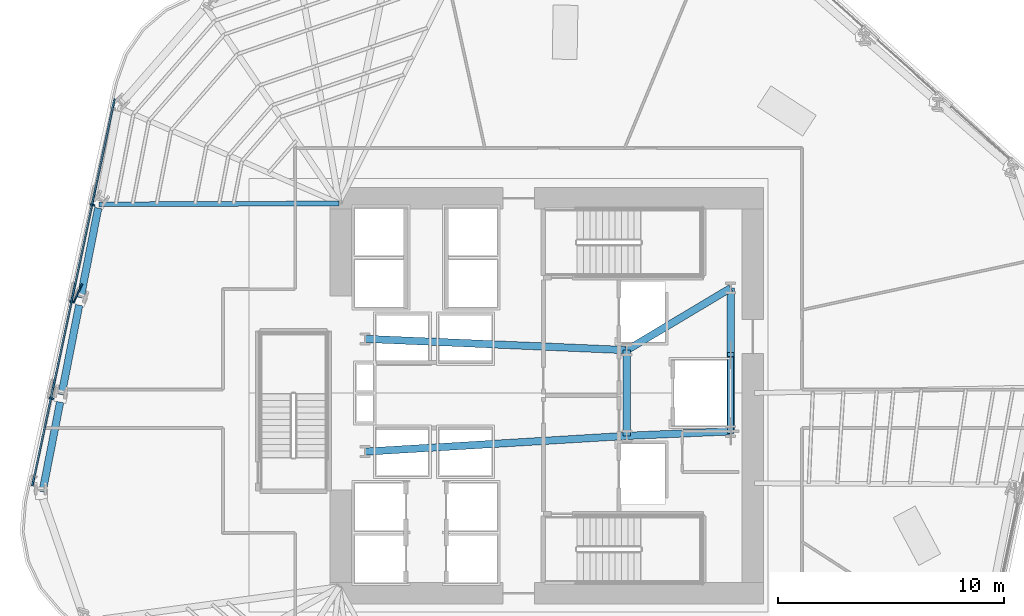
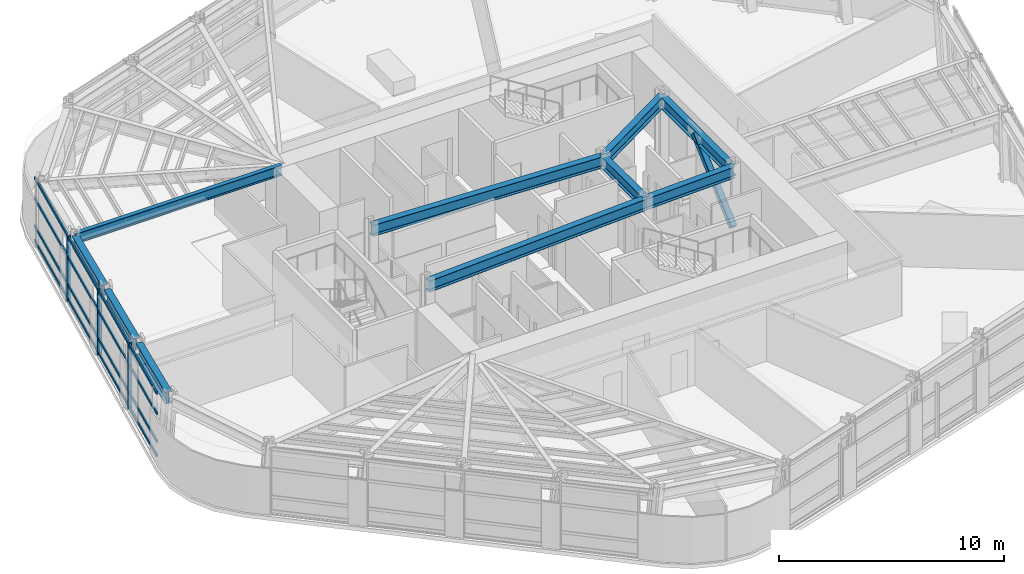
# One storey, part 4 of 16: 10 beams, 9 members, 1 element without a shape of its own.
"""IFC4 building model written with IfcOpenShell, lengths in metres."""

from ifc_helpers import new_model, si_unit, direction, frame, origin, origin_2d, place, context, subcontext, project, spatial, rectangle, hollow_rectangle, i_section, extrude, material, layer, layer_set, material_profile, profile_set, type_object, element, aggregate, save


model = new_model("IFC4")

# Units and contexts
model_context = context("Model", 3, precision=1e-05, world=origin(), true_north=direction((0.0, 1.0)))
body_context = subcontext(model_context, "Body", "Model", "MODEL_VIEW")
ifc_project = project(units=[si_unit("LENGTHUNIT", "METRE"), si_unit("AREAUNIT", "SQUARE_METRE"), si_unit("VOLUMEUNIT", "CUBIC_METRE"), si_unit("PLANEANGLEUNIT", "RADIAN"), si_unit("MASSUNIT", "GRAM", prefix="KILO")], contexts=[model_context])

# Site, building, storey
site_placement = place(None, origin())
site = spatial("IfcSite", under=ifc_project, at=site_placement, CompositionType="ELEMENT")
building_placement = place(site_placement, origin())
building = spatial("IfcBuilding", under=site, at=building_placement, Name="Valkerne Bourse Tower", CompositionType="ELEMENT")
storey_placement = place(building_placement, frame((0.0, 0.0, 101.0)))
storey = spatial("IfcBuildingStorey", under=building, at=storey_placement, Name="L25", CompositionType="ELEMENT", Elevation=101.0)

# Beams
ifc_material_1 = material(Name="Steel ASTM A992", Category="steel")
ifc_material_profile_1 = material_profile(ifc_material_1, i_section(OverallWidth=0.2138671875, OverallDepth=0.548583984375, WebThickness=0.0146484375, FlangeThickness=0.023681640625, FilletRadius=0.017822265625, at=origin_2d()), Name="W21X93")
ifc_profile_set_1 = profile_set([ifc_material_profile_1], Name="Steel ASTM A992")
beam_type_1 = type_object("IfcBeamType", Name="BM-W21X93", PredefinedType="BEAM", material=ifc_profile_set_1)
beam_1_placement = place(storey_placement, frame((26.95068359375, 35.36083984375, 3.3056640625), z_axis=(0.999993272801, 0.003668017507, 0.0), x_axis=(-0.003668017507, 0.999993272801, 0.0)))
element("IfcBeam", 1, at=beam_1_placement, inside=storey, type_object=beam_type_1, Name="L25 Radial Composite Floor Beam 11", PredefinedType="BEAM", context=body_context, shape_type="SweptSolid", body=[
    extrude(i_section(OverallWidth=0.2138671875, OverallDepth=0.548583984375, WebThickness=0.0146484375, FlangeThickness=0.023681640625, FilletRadius=0.017822265625, at=origin_2d()), origin(), (0.0, 0.0, 1.0), 10.6494140625),
])
ifc_material_profile_2 = material_profile(ifc_material_1, i_section(OverallWidth=0.3251953125, OverallDepth=0.612060546875, WebThickness=0.0126953125, FlangeThickness=0.01904296875, FilletRadius=0.020263671875, at=origin_2d()), Name="W24X104")
ifc_profile_set_2 = profile_set([ifc_material_profile_2], Name="Steel ASTM A992")
beam_type_2 = type_object("IfcBeamType", Name="BM-W24X104", PredefinedType="BEAM", material=ifc_profile_set_2)
beam_2_placement = place(storey_placement, frame((50.35009765625, 25.10009765625, 3.27392578125), z_axis=(0.0, 1.0, 0.0), x_axis=(-1.0, 0.0, 0.0)))
element("IfcBeam", 2, at=beam_2_placement, inside=storey, type_object=beam_type_2, Name="L25 Core Frame Girder CG-CE", PredefinedType="BEAM", context=body_context, shape_type="SweptSolid", body=[
    extrude(i_section(OverallWidth=0.3251953125, OverallDepth=0.612060546875, WebThickness=0.0126953125, FlangeThickness=0.01904296875, FilletRadius=0.020263671875, at=origin_2d()), origin(), (0.0, 0.0, 1.0), 3.7998046875),
])
beam_3_placement = place(storey_placement, frame((50.35009765625, 25.10009765625, 3.27392578125), z_axis=(0.999056558506, 0.043428019819, 0.0), x_axis=(-0.043428019819, 0.999056558506, 0.0)))
element("IfcBeam", 3, at=beam_3_placement, inside=storey, type_object=beam_type_2, Name="L25 Core Frame Girder CG-SE", PredefinedType="BEAM", context=body_context, shape_type="SweptSolid", body=[
    extrude(i_section(OverallWidth=0.3251953125, OverallDepth=0.612060546875, WebThickness=0.0126953125, FlangeThickness=0.01904296875, FilletRadius=0.020263671875, at=origin_2d()), origin(), (0.0, 0.0, 1.0), 4.604248046875),
])
beam_4_placement = place(storey_placement, frame((50.35009765625, 28.89990234375, 3.27392578125), z_axis=(0.858307823492, 0.513135148019, 0.0), x_axis=(-0.513135148019, 0.858307823492, 0.0)))
element("IfcBeam", 4, at=beam_4_placement, inside=storey, type_object=beam_type_2, Name="L25 Core Frame Girder CG-NE", PredefinedType="BEAM", context=body_context, shape_type="SweptSolid", body=[
    extrude(i_section(OverallWidth=0.3251953125, OverallDepth=0.612060546875, WebThickness=0.0126953125, FlangeThickness=0.01904296875, FilletRadius=0.020263671875, at=origin_2d()), origin(), (0.0, 0.0, 1.0), 5.359130859375),
])
beam_5_placement = place(storey_placement, frame((54.949951171875, 25.300048828125, 3.27392578125), z_axis=(0.0, 1.0, 0.0), x_axis=(-1.0, 0.0, 0.0)))
element("IfcBeam", 5, at=beam_5_placement, inside=storey, type_object=beam_type_2, Name="L25 Core Frame Girder CG-EE", PredefinedType="BEAM", context=body_context, shape_type="SweptSolid", body=[
    extrude(i_section(OverallWidth=0.3251953125, OverallDepth=0.612060546875, WebThickness=0.0126953125, FlangeThickness=0.01904296875, FilletRadius=0.020263671875, at=origin_2d()), origin(), (0.0, 0.0, 1.0), 6.349853515625),
])
beam_6_placement = place(storey_placement, frame((38.75, 24.39990234375, 3.27392578125), z_axis=(0.998183228389, 0.060251494276, 0.0), x_axis=(-0.060251494276, 0.998183228389, 0.0)))
element("IfcBeam", 6, at=beam_6_placement, inside=storey, type_object=beam_type_2, Name="L25 Core Frame Girder CG-SW", PredefinedType="BEAM", context=body_context, shape_type="SweptSolid", body=[
    extrude(i_section(OverallWidth=0.3251953125, OverallDepth=0.612060546875, WebThickness=0.0126953125, FlangeThickness=0.01904296875, FilletRadius=0.020263671875, at=origin_2d()), origin(), (0.0, 0.0, 1.0), 11.62109375),
])
beam_7_placement = place(storey_placement, frame((38.75, 29.39990234375, 3.27392578125), z_axis=(0.999072354402, -0.043063101019, 0.0), x_axis=(0.043063101019, 0.999072354402, 0.0)))
element("IfcBeam", 7, at=beam_7_placement, inside=storey, type_object=beam_type_2, Name="L25 Core Frame Girder CG-NW", PredefinedType="BEAM", context=body_context, shape_type="SweptSolid", body=[
    extrude(i_section(OverallWidth=0.3251953125, OverallDepth=0.612060546875, WebThickness=0.0126953125, FlangeThickness=0.01904296875, FilletRadius=0.020263671875, at=origin_2d()), origin(), (0.0, 0.0, 1.0), 11.61083984375),
])
ifc_material_profile_3 = material_profile(ifc_material_1, i_section(OverallWidth=0.330078125, OverallDepth=0.647705078125, WebThickness=0.0205078125, FlangeThickness=0.037109375, FilletRadius=0.020263671875, at=origin_2d()), Name="W24X192")
ifc_profile_set_3 = profile_set([ifc_material_profile_3], Name="Steel ASTM A992")
beam_type_3 = type_object("IfcBeamType", Name="BM-W24X192", PredefinedType="SPANDREL", material=ifc_profile_set_3)
for number, where, z_axis, x_axis, name in (
    (8, (26.91796875, 35.194091796875, 3.256103515625), (-0.192561537444, -0.981284899658, 0.0), (0.981284899658, -0.192561537444, 0.0), "L25 Hexagonal Spandrel Ring Beam 11"),
    (9, (26.07421875, 30.89306640625, 3.256103515625), (-0.192561537444, -0.981284899658, 0.0), (0.981284899658, -0.192561537444, 0.0), "L25 Hexagonal Spandrel Ring Beam 12"),
    (10, (25.230224609375, 26.592041015625, 3.256103515625), (-0.192503392383, -0.981296307912, 0.0), (0.981296307912, -0.192503392383, 0.0), "L25 Hexagonal Spandrel Ring Beam 13"),
):
    element("IfcBeam", number, at=place(storey_placement, frame(where, z_axis=z_axis, x_axis=x_axis)), inside=storey, type_object=beam_type_3, Name=name, PredefinedType="SPANDREL", context=body_context, shape_type="SweptSolid", body=[
        extrude(i_section(OverallWidth=0.330078125, OverallDepth=0.647705078125, WebThickness=0.0205078125, FlangeThickness=0.037109375, FilletRadius=0.020263671875, at=origin_2d()), origin(), (0.0, 0.0, 1.0), 4.043212890625),
    ])

# Curtain wall, members
ifc_material_2 = material(Name="Aluminium AA 6063-T6", Category="aluminium")
ifc_layer = layer(ifc_material_2, 0.22998046875)
ifc_layer_set = layer_set([ifc_layer], Name="Aluminium AA 6063-T6")
curtain_wall_type = type_object("IfcCurtainWallType", Name="CW-02", PredefinedType="NOTDEFINED", material=ifc_layer_set)
curtain_wall_placement = place(storey_placement, origin())
curtain_wall = element("IfcCurtainWall", 11, at=curtain_wall_placement, inside=storey, type_object=curtain_wall_type, Name="L25 Hexagonal Stick Curtain Wall Face 3", PredefinedType="NOTDEFINED")
ifc_material_profile_4 = material_profile(ifc_material_2, rectangle(XDim=0.074951171875, YDim=0.199951171875, at=origin_2d()), Name="CWM-75X200")
ifc_profile_set_4 = profile_set([ifc_material_profile_4], Name="Aluminium AA 6063-T6")
member_type_1 = type_object("IfcMemberType", Name="CW-MUL-220X75", PredefinedType="MULLION", material=ifc_profile_set_4)
member_1_placement = place(storey_placement, frame((26.66455078125, 35.33154296875, 0.0), z_axis=(0.0, 0.0, 1.0), x_axis=(-0.207917695785, -0.978146324319, 0.0)))
member_1 = element("IfcMember", 12, at=member_1_placement, type_object=member_type_1, Name="CW-L25-F3 Jamb Mullion 01A", PredefinedType="MULLION", context=body_context, shape_type="SweptSolid", body=[
    extrude(rectangle(XDim=0.074951171875, YDim=0.199951171875, at=origin_2d()), origin(), (0.0, 0.0, 1.0), 3.580078125),
])
member_2_placement = place(storey_placement, frame((25.753173828125, 31.044189453125, 0.0), z_axis=(0.0, 0.0, 1.0), x_axis=(-0.207917695785, -0.978146324319, 0.0)))
member_2 = element("IfcMember", 13, at=member_2_placement, type_object=member_type_1, Name="CW-L25-F3 Jamb Mullion 02A", PredefinedType="MULLION", context=body_context, shape_type="SweptSolid", body=[
    extrude(rectangle(XDim=0.074951171875, YDim=0.199951171875, at=origin_2d()), origin(), (0.0, 0.0, 1.0), 3.580078125),
])
member_3_placement = place(storey_placement, frame((24.841796875, 26.757080078125, 0.0), z_axis=(0.0, 0.0, 1.0), x_axis=(-0.207913055801, -0.978147310597, 0.0)))
member_3 = element("IfcMember", 14, at=member_3_placement, type_object=member_type_1, Name="CW-L25-F3 Jamb Mullion 03A", PredefinedType="MULLION", context=body_context, shape_type="SweptSolid", body=[
    extrude(rectangle(XDim=0.074951171875, YDim=0.199951171875, at=origin_2d()), origin(), (0.0, 0.0, 1.0), 3.580078125),
])
ifc_material_profile_5 = material_profile(ifc_material_2, rectangle(XDim=0.074951171875, YDim=0.14990234375, at=origin_2d()), Name="CWT-75X150")
ifc_profile_set_5 = profile_set([ifc_material_profile_5], Name="Aluminium AA 6063-T6")
member_type_2 = type_object("IfcMemberType", Name="CW-TRN-180X65", PredefinedType="USERDEFINED", material=ifc_profile_set_5)
member_4_placement = place(storey_placement, frame((27.6435546875, 40.03369140625, 0.1201171875), z_axis=(-0.207919711442, -0.978145895863, 0.0), x_axis=(0.978145895863, -0.207919711442, 0.0)))
member_4 = element("IfcMember", 15, at=member_4_placement, type_object=member_type_2, Name="CW-L25-F3 Continuous Face Transom 1", ObjectType="TRANSOM", PredefinedType="USERDEFINED", context=body_context, shape_type="SweptSolid", body=[
    extrude(rectangle(XDim=0.074951171875, YDim=0.14990234375, at=origin_2d()), origin(), (0.0, 0.0, 1.0), 17.531982421875),
])
member_5_placement = place(storey_placement, frame((27.6435546875, 40.03369140625, 0.89990234375), z_axis=(-0.207919711442, -0.978145895863, 0.0), x_axis=(0.978145895863, -0.207919711442, 0.0)))
member_5 = element("IfcMember", 16, at=member_5_placement, type_object=member_type_2, Name="CW-L25-F3 Continuous Face Transom 2", ObjectType="TRANSOM", PredefinedType="USERDEFINED", context=body_context, shape_type="SweptSolid", body=[
    extrude(rectangle(XDim=0.074951171875, YDim=0.14990234375, at=origin_2d()), origin(), (0.0, 0.0, 1.0), 17.531982421875),
])
member_6_placement = place(storey_placement, frame((27.6435546875, 40.03369140625, 2.39990234375), z_axis=(-0.207919711442, -0.978145895863, 0.0), x_axis=(0.978145895863, -0.207919711442, 0.0)))
member_6 = element("IfcMember", 17, at=member_6_placement, type_object=member_type_2, Name="CW-L25-F3 Continuous Face Transom 3", ObjectType="TRANSOM", PredefinedType="USERDEFINED", context=body_context, shape_type="SweptSolid", body=[
    extrude(rectangle(XDim=0.074951171875, YDim=0.14990234375, at=origin_2d()), origin(), (0.0, 0.0, 1.0), 17.531982421875),
])
member_7_placement = place(storey_placement, frame((27.6435546875, 40.03369140625, 3.5), z_axis=(-0.207919711442, -0.978145895863, 0.0), x_axis=(0.978145895863, -0.207919711442, 0.0)))
member_7 = element("IfcMember", 18, at=member_7_placement, type_object=member_type_2, Name="CW-L25-F3 Continuous Face Transom 4", ObjectType="TRANSOM", PredefinedType="USERDEFINED", context=body_context, shape_type="SweptSolid", body=[
    extrude(rectangle(XDim=0.074951171875, YDim=0.14990234375, at=origin_2d()), origin(), (0.0, 0.0, 1.0), 17.531982421875),
])
aggregate(curtain_wall, [member_4, member_5, member_6, member_7, member_1, member_2, member_3])

# Members
ifc_material_3 = material(Name="Bronze Anodised Aluminium AA 6063-T6", Category="aluminium")
ifc_material_profile_6 = material_profile(ifc_material_3, rectangle(XDim=0.070068359375, YDim=0.89990234375, at=origin_2d()), Name="FIN-70X900")
ifc_profile_set_6 = profile_set([ifc_material_profile_6], Name="Bronze Anodised Aluminium AA 6063-T6")
member_type_3 = type_object("IfcMemberType", Name="FIN-SOLAR-900", PredefinedType="USERDEFINED", material=ifc_profile_set_6)
member_8_placement = place(storey_placement, frame((26.0166015625, 31.417724609375, 0.00390625), z_axis=(0.0, 0.0, 1.0), x_axis=(-0.908970133003, 0.416861244671, 0.0)))
element("IfcMember", 19, at=member_8_placement, inside=storey, type_object=member_type_3, Name="L25 Bronze Anodised Solar Fin F3-02", ObjectType="SOLAR_FIN", PredefinedType="USERDEFINED", context=body_context, shape_type="SweptSolid", body=[
    extrude(rectangle(XDim=0.070068359375, YDim=0.89990234375, at=origin_2d()), origin(), (0.0, 0.0, 1.0), 3.572021484375),
])
ifc_material_4 = material(Name="Steel ASTM A500 Grade C", Category="steel")
ifc_material_profile_7 = material_profile(ifc_material_4, hollow_rectangle(XDim=0.300048828125, YDim=0.300048828125, WallThickness=0.012451171875, OuterFilletRadius=0.02490234375, at=origin_2d()), Name="HSS300X300X12.5")
ifc_profile_set_7 = profile_set([ifc_material_profile_7], Name="Steel ASTM A500 Grade C")
member_type_4 = type_object("IfcMemberType", Name="MBR-HSS300X300X12.5", PredefinedType="STRUT", material=ifc_profile_set_7)
member_9_placement = place(storey_placement, frame((54.949951171875, 25.300048828125, 0.219970703125), z_axis=(0.0, 0.743941933778, 0.668244266094), x_axis=(-1.0, 0.0, 0.0)))
element("IfcMember", 20, at=member_9_placement, inside=storey, type_object=member_type_4, Name="L25 Core Service Pier Lateral Brace", PredefinedType="STRUT", context=body_context, shape_type="SweptSolid", body=[
    extrude(hollow_rectangle(XDim=0.300048828125, YDim=0.300048828125, WallThickness=0.012451171875, OuterFilletRadius=0.02490234375, at=origin_2d()), origin(), (0.0, 0.0, 1.0), 4.570068359375),
])

save(model, "model.ifc")
